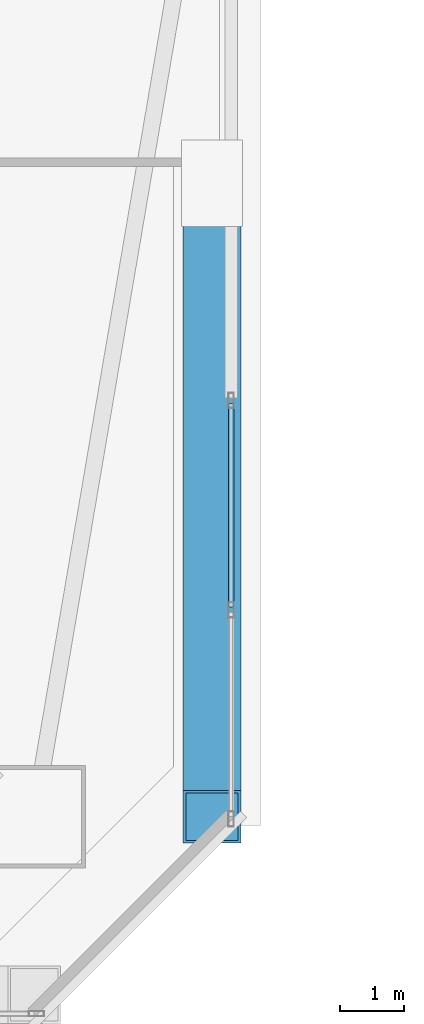
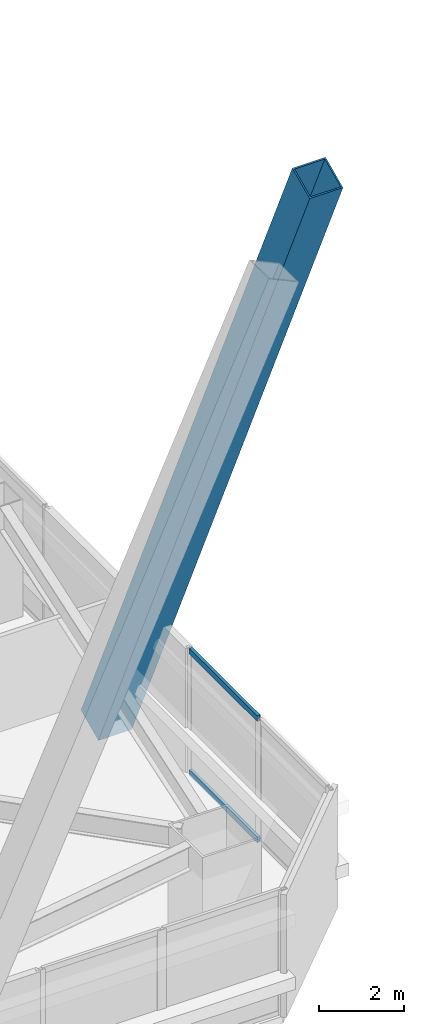
# One storey, part 14 of 75: 3 members, 1 element without a shape of its own.
"""IFC4 building model written with IfcOpenShell, lengths in metres."""

from ifc_helpers import new_model, si_unit, direction, frame, origin, origin_2d, place, context, subcontext, project, spatial, hollow_rectangle, extrude, material, material_profile, profile_set, type_object, element, aggregate, save


model = new_model("IFC4")

# Units and contexts
model_context = context("Model", 3, precision=1e-05, world=origin(), true_north=direction((0.0, 1.0)))
body_context = subcontext(model_context, "Body", "Model", "MODEL_VIEW")
ifc_project = project(units=[si_unit("LENGTHUNIT", "METRE"), si_unit("AREAUNIT", "SQUARE_METRE"), si_unit("VOLUMEUNIT", "CUBIC_METRE"), si_unit("PLANEANGLEUNIT", "RADIAN"), si_unit("MASSUNIT", "GRAM", prefix="KILO")], contexts=[model_context])

# Site, building, storey
site_placement = place(None, origin())
site = spatial("IfcSite", under=ifc_project, at=site_placement, CompositionType="ELEMENT")
building_placement = place(site_placement, origin())
building = spatial("IfcBuilding", under=site, at=building_placement, Name="Tashvorn Skyway Center", CompositionType="ELEMENT")
storey_placement = place(building_placement, frame((0.0, 0.0, 45.89990234375)))
storey = spatial("IfcBuildingStorey", under=building, at=storey_placement, Name="L11", CompositionType="ELEMENT", Elevation=45.89990234375)

# Curtain wall, members
ifc_material_1 = material(Name="Thermally broken bronze-anodized aluminium 6063-T6", Category="aluminium")
curtain_wall_type = type_object("IfcCurtainWallType", Name="CW-CW-Z1", PredefinedType="NOTDEFINED", material=ifc_material_1)
curtain_wall_placement = place(storey_placement, origin())
curtain_wall = element("IfcCurtainWall", 1, at=curtain_wall_placement, inside=storey, type_object=curtain_wall_type, Name="Tower 1 L11 East Unitised Curtain Wall Glazing Group 3", PredefinedType="NOTDEFINED")
ifc_material_profile_1 = material_profile(ifc_material_1, hollow_rectangle(XDim=0.0849609375, YDim=0.1650390625, WallThickness=0.0048828125, at=origin_2d()), Name="ALU-TRAN-85x165")
ifc_profile_set_1 = profile_set([ifc_material_profile_1], Name="Thermally broken bronze-anodized aluminium 6063-T6")
member_type_1 = type_object("IfcMemberType", Name="CWT-CW-Z1", PredefinedType="USERDEFINED", material=ifc_profile_set_1)
member_1_placement = place(storey_placement, frame((64.8798828125, 18.66162109375, 0.04248046875), z_axis=(0.0, -1.0, 0.0), x_axis=(1.0, 0.0, 0.0)))
member_1 = element("IfcMember", 2, at=member_1_placement, type_object=member_type_1, Name="CW-Z1 transom 1.1", ObjectType="TRANSOM", PredefinedType="USERDEFINED", context=body_context, shape_type="SweptSolid", body=[
    extrude(hollow_rectangle(XDim=0.0849609375, YDim=0.1650390625, WallThickness=0.0048828125, at=origin_2d()), origin(), (0.0, 0.0, 1.0), 3.185791015625),
])
member_2_placement = place(storey_placement, frame((64.8798828125, 18.66162109375, 3.507568359375), z_axis=(0.0, -1.0, 0.0), x_axis=(1.0, 0.0, 0.0)))
member_2 = element("IfcMember", 3, at=member_2_placement, type_object=member_type_1, Name="CW-Z1 transom 1.2", ObjectType="TRANSOM", PredefinedType="USERDEFINED", context=body_context, shape_type="SweptSolid", body=[
    extrude(hollow_rectangle(XDim=0.0849609375, YDim=0.1650390625, WallThickness=0.0048828125, at=origin_2d()), origin(), (0.0, 0.0, 1.0), 3.185791015625),
])
aggregate(curtain_wall, [member_1, member_2])

# Member
ifc_material_2 = material(Name="Steel ASTM A572 Grade 50", Category="steel")
ifc_material_profile_2 = material_profile(ifc_material_2, hollow_rectangle(XDim=0.89990234375, YDim=0.89990234375, WallThickness=0.0400390625, at=origin_2d()), Name="BOX900x900x40")
ifc_profile_set_2 = profile_set([ifc_material_profile_2], Name="Steel ASTM A572 Grade 50")
member_type_2 = type_object("IfcMemberType", Name="MEM-MB-900", PredefinedType="BRACE", material=ifc_profile_set_2)
member_3_placement = place(storey_placement, frame((64.580078125, 22.10009765625, -0.449951171875), z_axis=(0.0, -0.418259378631, 0.908327634825), x_axis=(1.0, 0.0, 0.0)))
element("IfcMember", 4, at=member_3_placement, inside=storey, type_object=member_type_2, Name="Tower 1 Zone 1 E Chevron Mega-Brace L2", PredefinedType="BRACE", context=body_context, shape_type="SweptSolid", body=[
    extrude(hollow_rectangle(XDim=0.89990234375, YDim=0.89990234375, WallThickness=0.0400390625, at=origin_2d()), origin(), (0.0, 0.0, 1.0), 23.669921875),
])

save(model, "model.ifc")
